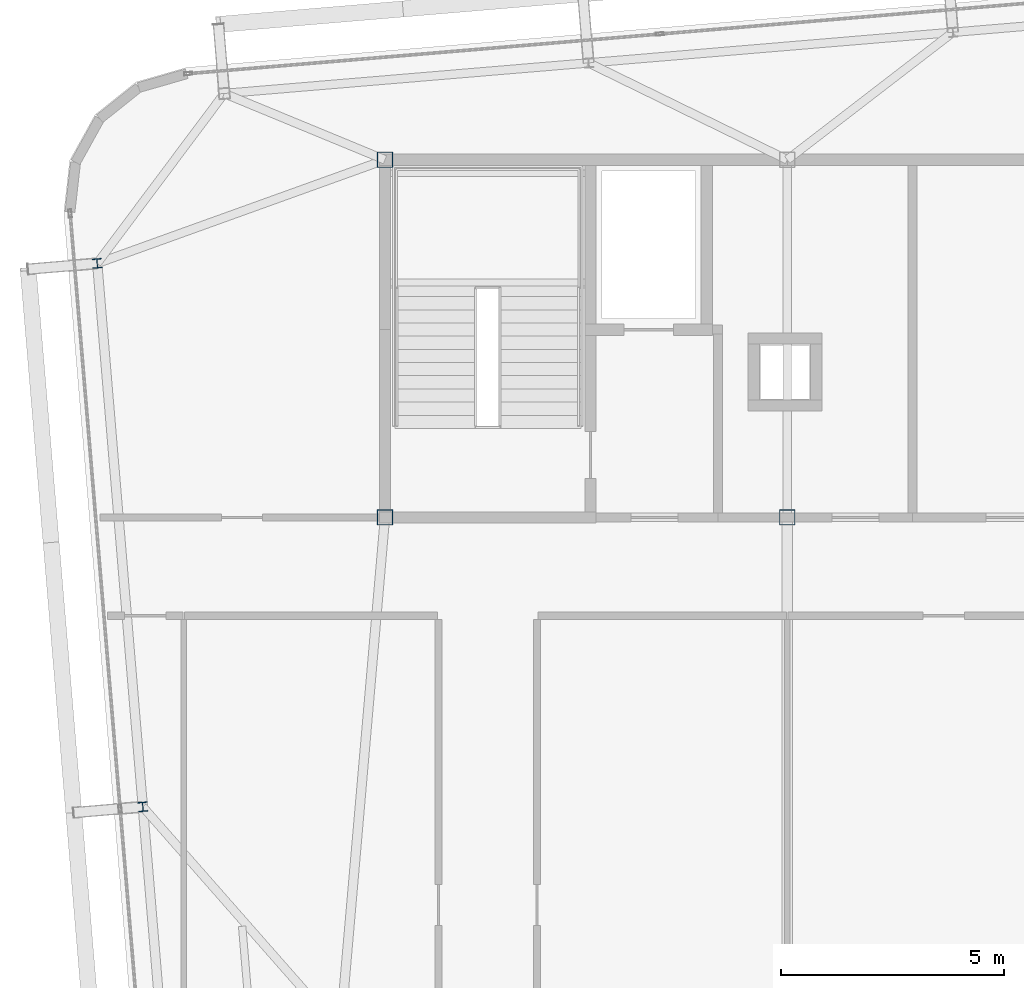
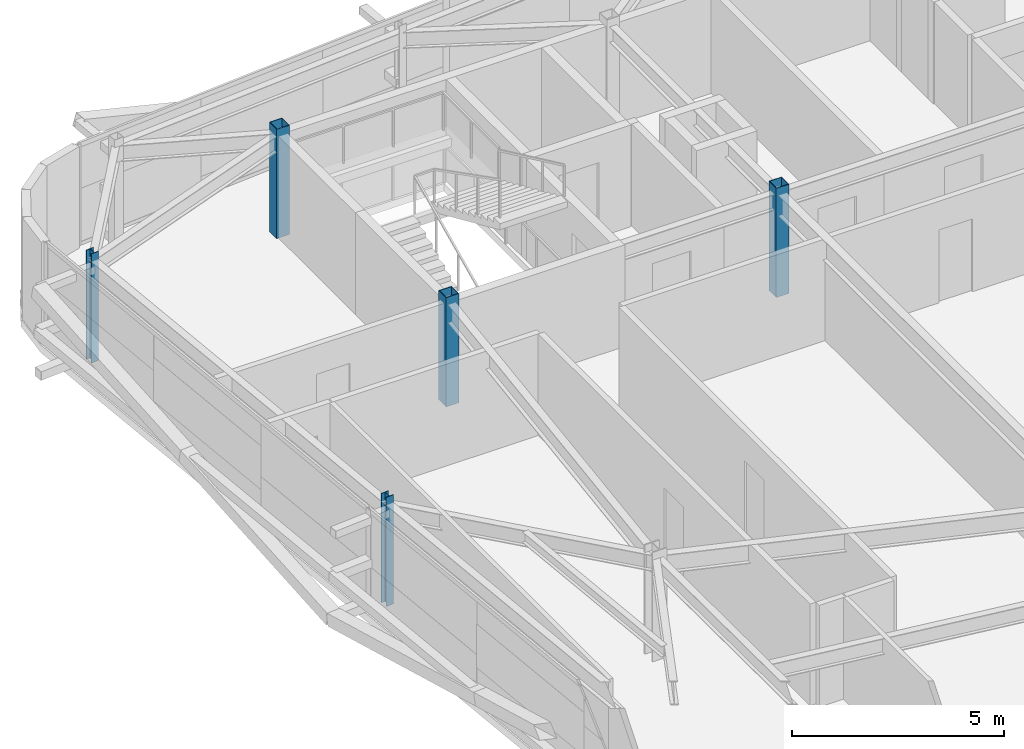
# One storey, part 2 of 39: 5 columns.
"""IFC4 building model written with IfcOpenShell, lengths in metres."""

from ifc_helpers import new_model, si_unit, direction, frame, origin, origin_2d, place, context, subcontext, project, spatial, hollow_rectangle, i_section, extrude, source, transform, mapped, material, material_profile, profile_set, type_object, element, save


model = new_model("IFC4")

# Units and contexts
model_context = context("Model", 3, precision=1e-05, world=origin(), true_north=direction((0.0, 1.0)))
body_context = subcontext(model_context, "Body", "Model", "MODEL_VIEW")
ifc_project = project(units=[si_unit("LENGTHUNIT", "METRE"), si_unit("AREAUNIT", "SQUARE_METRE"), si_unit("VOLUMEUNIT", "CUBIC_METRE"), si_unit("PLANEANGLEUNIT", "RADIAN"), si_unit("MASSUNIT", "GRAM", prefix="KILO")], contexts=[model_context])

# Site, building, storey
site_placement = place(None, origin())
site = spatial("IfcSite", under=ifc_project, at=site_placement, CompositionType="ELEMENT")
building_placement = place(site_placement, origin())
building = spatial("IfcBuilding", under=site, at=building_placement, Name="Taldren Reach Tower", CompositionType="ELEMENT")
storey_placement = place(building_placement, frame((0.0, 0.0, 175.699951171875)))
storey = spatial("IfcBuildingStorey", under=building, at=storey_placement, Name="L53", CompositionType="ELEMENT", Elevation=175.699951171875)

# Columns
ifc_material_1 = material(Name="Steel Gr 450 (C450L0)", Category="steel")
ifc_material_profile_1 = material_profile(ifc_material_1, hollow_rectangle(XDim=0.35009765625, YDim=0.35009765625, WallThickness=0.01611328125, at=origin_2d()), Name="350x350x16.0SHS")
ifc_profile_set_1 = profile_set([ifc_material_profile_1], Name="Steel Gr 450 (C450L0)")
column_type_1 = type_object("IfcColumnType", Name="COL-SHS350", PredefinedType="COLUMN", material=ifc_profile_set_1)
shared_shape_1 = source(origin(), body_context, "Body", "SweptSolid", [
    extrude(hollow_rectangle(XDim=0.35009765625, YDim=0.35009765625, WallThickness=0.01611328125, at=origin_2d()), origin(), (0.0, 0.0, 1.0), 3.150146484375),
])
for number, where, z_axis, x_axis, name in (
    (1, (19.0, 24.0, 0.0), (0.0, 0.0, 1.0), (1.0, 0.0, 0.0), "Mega column MC-C1 L53"),
    (2, (28.0, 24.0, 0.0), (0.0, 0.0, 1.0), (1.0, 0.0, 0.0), "Mega column MC-C2 L53"),
    (3, (19.0, 32.0, 0.0), (0.0, 0.0, 1.0), (1.0, 0.0, 0.0), "Mega column MC-C5 L53"),
):
    element("IfcColumn", number, at=place(storey_placement, frame(where, z_axis=z_axis, x_axis=x_axis)), inside=storey, type_object=column_type_1, Name=name, PredefinedType="COLUMN", context=body_context, shape_type="MappedRepresentation", body=[
        mapped(shared_shape_1, transform((0.0, 0.0, 0.0), scale=1.0)),
    ])
ifc_material_2 = material(Name="Steel Gr 350 (350PLUS)", Category="steel")
ifc_material_profile_2 = material_profile(ifc_material_2, i_section(OverallWidth=0.205078125, OverallDepth=0.2099609375, WebThickness=0.00927734375, FlangeThickness=0.01416015625, at=origin_2d()), Name="200UC59.5")
ifc_profile_set_2 = profile_set([ifc_material_profile_2], Name="Steel Gr 350 (350PLUS)")
column_type_2 = type_object("IfcColumnType", Name="COL-UC200", PredefinedType="COLUMN", material=ifc_profile_set_2)
shared_shape_2 = source(origin(), body_context, "Body", "SweptSolid", [
    extrude(i_section(OverallWidth=0.205078125, OverallDepth=0.2099609375, WebThickness=0.00927734375, FlangeThickness=0.01416015625, at=origin_2d()), origin(), (0.0, 0.0, 1.0), 3.150146484375),
])
for number, where, z_axis, x_axis, name in (
    (4, (13.582763671875, 17.525146484375, 0.0), (0.0, 0.0, 1.0), (0.99649285925, 0.083677843332, 0.0), "Block B4 perimeter column W2 L53"),
    (5, (12.56201171875, 29.682373046875, 0.0), (0.0, 0.0, 1.0), (0.99649285925, 0.083677843332, 0.0), "Block B4 perimeter column W3 L53"),
):
    element("IfcColumn", number, at=place(storey_placement, frame(where, z_axis=z_axis, x_axis=x_axis)), inside=storey, type_object=column_type_2, Name=name, PredefinedType="COLUMN", context=body_context, shape_type="MappedRepresentation", body=[
        mapped(shared_shape_2, transform((0.0, 0.0, 0.0), scale=1.0)),
    ])

save(model, "model.ifc")
